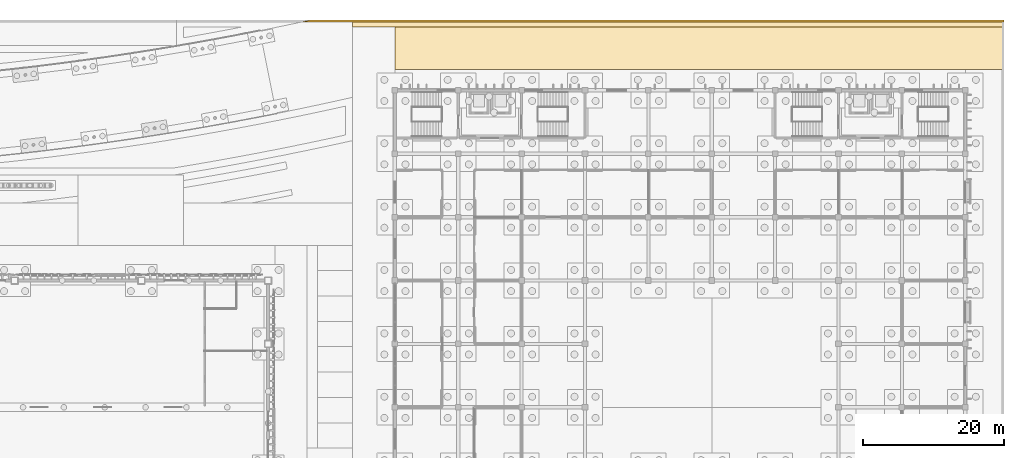
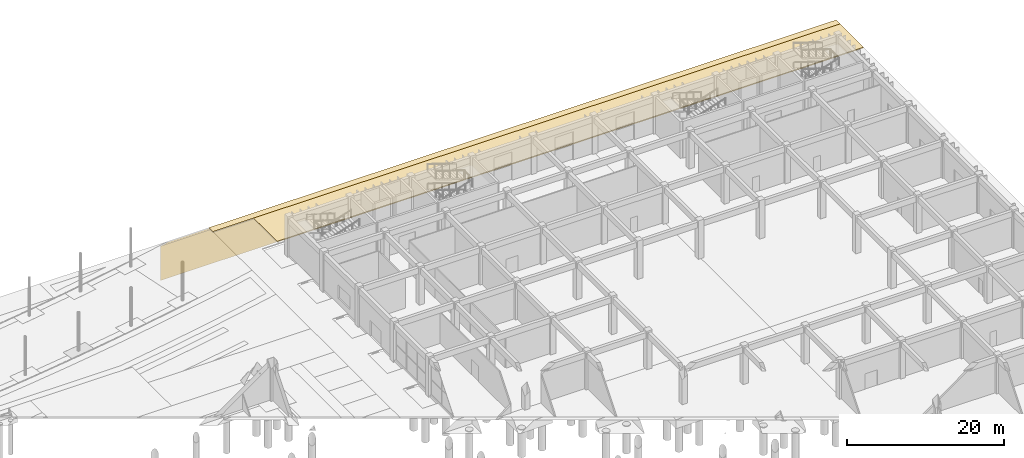
# One storey, part 194 of 198: 3 coverings.
"""IFC4 building model written with IfcOpenShell, lengths in metres."""

from ifc_helpers import new_model, si_unit, direction, frame, origin, place, context, subcontext, project, spatial, polyline, outline, extrude, material, layer, layer_set, type_object, element, save


model = new_model("IFC4")

# Units and contexts
model_context = context("Model", 3, precision=1e-05, world=origin(), true_north=direction((0.0, 1.0)))
body_context = subcontext(model_context, "Body", "Model", "MODEL_VIEW")
ifc_project = project(units=[si_unit("LENGTHUNIT", "METRE"), si_unit("AREAUNIT", "SQUARE_METRE"), si_unit("VOLUMEUNIT", "CUBIC_METRE"), si_unit("PLANEANGLEUNIT", "RADIAN"), si_unit("MASSUNIT", "GRAM", prefix="KILO")], contexts=[model_context])

# Site, building, storey
site_placement = place(None, origin())
site = spatial("IfcSite", under=ifc_project, at=site_placement, CompositionType="ELEMENT")
building_placement = place(site_placement, origin())
building = spatial("IfcBuilding", under=site, at=building_placement, Name="Opaline Strait Convention Centre", CompositionType="ELEMENT")
storey_placement = place(building_placement, origin())
storey = spatial("IfcBuildingStorey", under=building, at=storey_placement, Name="L00", CompositionType="ELEMENT", Elevation=0.0)

# Coverings
ifc_material_1 = material(Name="Concrete C30 red oxide", Category="concrete")
ifc_layer_1 = layer(ifc_material_1, 0.14990234375)
ifc_layer_set_1 = layer_set([ifc_layer_1], Name="Concrete C30 red oxide")
covering_type_1 = type_object("IfcCoveringType", Name="Fire lane concrete paving 150 C30", PredefinedType="FLOORING", material=ifc_layer_set_1)
covering_1_placement = place(storey_placement, frame((0.0, 0.0, -0.14990234375)))
element("IfcCovering", 1, at=covering_1_placement, inside=storey, type_object=covering_type_1, Name="External Fire Appliance Lane Meeting North surfacing", PredefinedType="FLOORING", context=body_context, shape_type="SweptSolid", body=[
    extrude(outline(polyline([(279.0, 189.0), (279.0, 183.0), (365.5, 183.0), (365.5, 189.0), (279.0, 189.0)])), origin(), (0.0, 0.0, 1.0), 0.14990234375),
])
ifc_material_2 = material(Name="Stabilised soil platform edge 300")
ifc_layer_2 = layer(ifc_material_2, 0.300048828125)
ifc_layer_set_2 = layer_set([ifc_layer_2], Name="Stabilised soil platform edge 300")
covering_type_2 = type_object("IfcCoveringType", Name="Platform edge facing 300", PredefinedType="CLADDING", material=ifc_layer_set_2)
covering_2_placement = place(storey_placement, frame((0.0, 0.0, -5.5)))
element("IfcCovering", 2, at=covering_2_placement, inside=storey, type_object=covering_type_2, Name="Platform edge facing", PredefinedType="CLADDING", context=body_context, shape_type="SweptSolid", body=[
    extrude(outline(polyline([(365.5, 190.0), (267.071533203125, 190.0), (265.739990234375, 189.710693359375), (265.68994140625, 189.699951171875), (365.5, 189.699951171875), (365.5, 190.0)])), origin(), (0.0, 0.0, 1.0), 5.35009765625),
])
ifc_material_3 = material(Name="Concrete C30 exposed aggregate", Category="concrete")
ifc_layer_3 = layer(ifc_material_3, 0.14990234375)
ifc_layer_set_3 = layer_set([ifc_layer_3], Name="Concrete C30 exposed aggregate")
covering_type_3 = type_object("IfcCoveringType", Name="Site paving 150", PredefinedType="FLOORING", material=ifc_layer_set_3)
covering_3_placement = place(storey_placement, frame((0.0, 0.0, -0.14990234375)))
element("IfcCovering", 3, at=covering_3_placement, inside=storey, type_object=covering_type_3, Name="Site paving surfacing", PredefinedType="FLOORING", context=body_context, shape_type="SweptSolid", body=[
    extrude(outline(polyline([(279.0, 189.0), (365.5, 189.0), (365.5, 190.0), (273.0, 190.0), (273.0, 189.0), (279.0, 189.0)])), origin(), (0.0, 0.0, 1.0), 0.14990234375),
])

save(model, "model.ifc")
